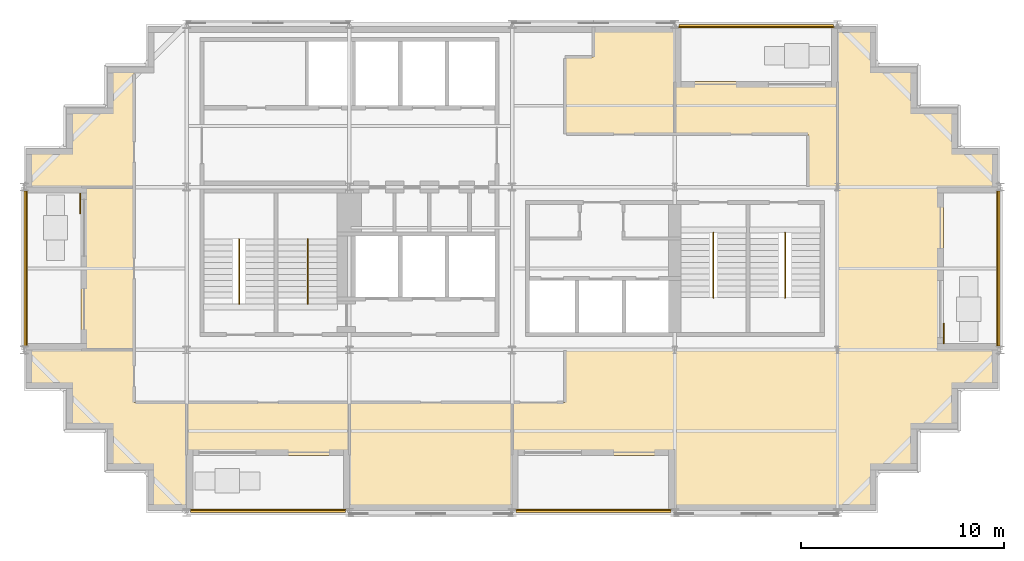
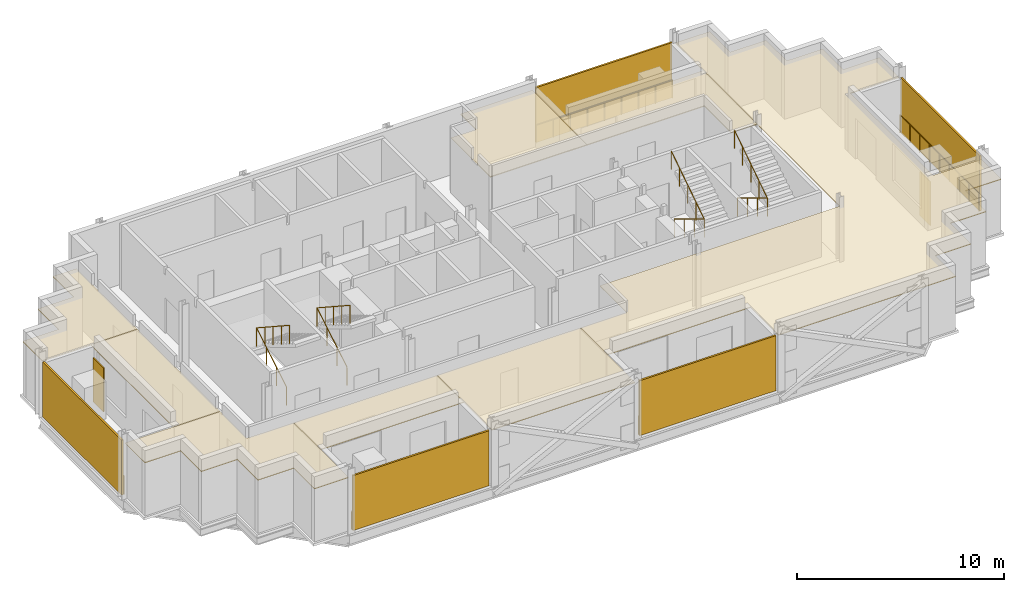
# One storey, part 8 of 9: 9 railings, 8 coverings, 7 shading devices.
"""IFC4 building model written with IfcOpenShell, lengths in metres."""

from ifc_helpers import new_model, si_unit, direction, frame, origin, origin_2d, place, context, subcontext, project, spatial, polyline, rectangle, circle, outline, extrude, material, layer, layer_set, type_object, element, save


model = new_model("IFC4")

# Units and contexts
model_context = context("Model", 3, precision=1e-05, world=origin(), true_north=direction((0.0, 1.0)))
body_context = subcontext(model_context, "Body", "Model", "MODEL_VIEW")
ifc_project = project(units=[si_unit("LENGTHUNIT", "METRE"), si_unit("AREAUNIT", "SQUARE_METRE"), si_unit("VOLUMEUNIT", "CUBIC_METRE"), si_unit("PLANEANGLEUNIT", "RADIAN"), si_unit("MASSUNIT", "GRAM", prefix="KILO")], contexts=[model_context])

# Site, building, storey
site_placement = place(None, origin())
site = spatial("IfcSite", under=ifc_project, at=site_placement, CompositionType="ELEMENT")
building_placement = place(site_placement, origin())
building = spatial("IfcBuilding", under=site, at=building_placement, Name="Immortelle Media Tower", CompositionType="ELEMENT")
storey_placement = place(building_placement, frame((0.0, 0.0, 271.0)))
storey = spatial("IfcBuildingStorey", under=building, at=storey_placement, Name="L59", CompositionType="ELEMENT", Elevation=271.0)

# Railings
ifc_material_1 = material(Name="Powder-coated aluminium fretwork panel, laminated glass backing", Category="aluminium")
railing_type_1 = type_object("IfcRailingType", Name="Fretwork balustrade 1100", PredefinedType="BALUSTRADE", material=ifc_material_1)
railing_1_placement = place(storey_placement, frame((8.197021484375, 0.139892578125, 0.0)))
element("IfcRailing", 1, at=railing_1_placement, inside=storey, type_object=railing_type_1, Name="Fretwork balustrade L59 S0", PredefinedType="BALUSTRADE", context=body_context, shape_type="SweptSolid", body=[
    extrude(circle(Radius=0.02490234375, at=origin_2d()), frame((0.0, 0.0, 1.0751953125), z_axis=(1.0, 0.0, 0.0), x_axis=(0.0, 1.0, 0.0)), (0.0, 0.0, 1.0), 7.6025390625),
    extrude(circle(Radius=0.02001953125, at=origin_2d()), origin(), (0.0, 0.0, 1.0), 1.050048828125),
    extrude(circle(Radius=0.02001953125, at=origin_2d()), frame((0.9501953125, 0.0, 0.0)), (0.0, 0.0, 1.0), 1.050048828125),
    extrude(circle(Radius=0.02001953125, at=origin_2d()), frame((1.900634765625, 0.0, 0.0)), (0.0, 0.0, 1.0), 1.050048828125),
    extrude(circle(Radius=0.02001953125, at=origin_2d()), frame((2.85107421875, 0.0, 0.0)), (0.0, 0.0, 1.0), 1.050048828125),
    extrude(circle(Radius=0.02001953125, at=origin_2d()), frame((3.80126953125, 0.0, 0.0)), (0.0, 0.0, 1.0), 1.050048828125),
    extrude(circle(Radius=0.02001953125, at=origin_2d()), frame((4.75146484375, 0.0, 0.0)), (0.0, 0.0, 1.0), 1.050048828125),
    extrude(circle(Radius=0.02001953125, at=origin_2d()), frame((5.701904296875, 0.0, 0.0)), (0.0, 0.0, 1.0), 1.050048828125),
    extrude(circle(Radius=0.02001953125, at=origin_2d()), frame((6.65234375, 0.0, 0.0)), (0.0, 0.0, 1.0), 1.050048828125),
    extrude(circle(Radius=0.02001953125, at=origin_2d()), frame((7.6025390625, 0.0, 0.0)), (0.0, 0.0, 1.0), 1.050048828125),
])
railing_2_placement = place(storey_placement, frame((24.199462890625, 0.139892578125, 0.0)))
element("IfcRailing", 2, at=railing_2_placement, inside=storey, type_object=railing_type_1, Name="Fretwork balustrade L59 S2", PredefinedType="BALUSTRADE", context=body_context, shape_type="SweptSolid", body=[
    extrude(circle(Radius=0.02490234375, at=origin_2d()), frame((0.0, 0.0, 1.0751953125), z_axis=(1.0, 0.0, 0.0), x_axis=(0.0, 1.0, 0.0)), (0.0, 0.0, 1.0), 7.60107421875),
    extrude(circle(Radius=0.02001953125, at=origin_2d()), origin(), (0.0, 0.0, 1.0), 1.050048828125),
    extrude(circle(Radius=0.02001953125, at=origin_2d()), frame((0.9501953125, 0.0, 0.0)), (0.0, 0.0, 1.0), 1.050048828125),
    extrude(circle(Radius=0.02001953125, at=origin_2d()), frame((1.900390625, 0.0, 0.0)), (0.0, 0.0, 1.0), 1.050048828125),
    extrude(circle(Radius=0.02001953125, at=origin_2d()), frame((2.850341796875, 0.0, 0.0)), (0.0, 0.0, 1.0), 1.050048828125),
    extrude(circle(Radius=0.02001953125, at=origin_2d()), frame((3.800537109375, 0.0, 0.0)), (0.0, 0.0, 1.0), 1.050048828125),
    extrude(circle(Radius=0.02001953125, at=origin_2d()), frame((4.750732421875, 0.0, 0.0)), (0.0, 0.0, 1.0), 1.050048828125),
    extrude(circle(Radius=0.02001953125, at=origin_2d()), frame((5.70068359375, 0.0, 0.0)), (0.0, 0.0, 1.0), 1.050048828125),
    extrude(circle(Radius=0.02001953125, at=origin_2d()), frame((6.65087890625, 0.0, 0.0)), (0.0, 0.0, 1.0), 1.050048828125),
    extrude(circle(Radius=0.02001953125, at=origin_2d()), frame((7.60107421875, 0.0, 0.0)), (0.0, 0.0, 1.0), 1.050048828125),
])
railing_3_placement = place(storey_placement, frame((47.860107421875, 8.18408203125, 0.0)))
element("IfcRailing", 3, at=railing_3_placement, inside=storey, type_object=railing_type_1, Name="Fretwork balustrade L59 E0", PredefinedType="BALUSTRADE", context=body_context, shape_type="SweptSolid", body=[
    extrude(circle(Radius=0.02490234375, at=origin_2d()), frame((0.0, 0.0, 1.0751953125), z_axis=(0.0, 1.0, 0.0), x_axis=(-1.0, 0.0, 0.0)), (0.0, 0.0, 1.0), 7.6318359375),
    extrude(circle(Radius=0.02001953125, at=origin_2d()), origin(), (0.0, 0.0, 1.0), 1.050048828125),
    extrude(circle(Radius=0.02001953125, at=origin_2d()), frame((0.0, 0.9541015625, 0.0)), (0.0, 0.0, 1.0), 1.050048828125),
    extrude(circle(Radius=0.02001953125, at=origin_2d()), frame((0.0, 1.907958984375, 0.0)), (0.0, 0.0, 1.0), 1.050048828125),
    extrude(circle(Radius=0.02001953125, at=origin_2d()), frame((0.0, 2.86181640625, 0.0)), (0.0, 0.0, 1.0), 1.050048828125),
    extrude(circle(Radius=0.02001953125, at=origin_2d()), frame((0.0, 3.81591796875, 0.0)), (0.0, 0.0, 1.0), 1.050048828125),
    extrude(circle(Radius=0.02001953125, at=origin_2d()), frame((0.0, 4.77001953125, 0.0)), (0.0, 0.0, 1.0), 1.050048828125),
    extrude(circle(Radius=0.02001953125, at=origin_2d()), frame((0.0, 5.723876953125, 0.0)), (0.0, 0.0, 1.0), 1.050048828125),
    extrude(circle(Radius=0.02001953125, at=origin_2d()), frame((0.0, 6.677734375, 0.0)), (0.0, 0.0, 1.0), 1.050048828125),
    extrude(circle(Radius=0.02001953125, at=origin_2d()), frame((0.0, 7.6318359375, 0.0)), (0.0, 0.0, 1.0), 1.050048828125),
])
railing_4_placement = place(storey_placement, frame((39.8134765625, 23.860107421875, 0.0)))
element("IfcRailing", 4, at=railing_4_placement, inside=storey, type_object=railing_type_1, Name="Fretwork balustrade L59 N0", PredefinedType="BALUSTRADE", context=body_context, shape_type="SweptSolid", body=[
    extrude(circle(Radius=0.02490234375, at=origin_2d()), frame((0.0, 0.0, 1.0751953125), z_axis=(-1.0, 0.0, 0.0), x_axis=(0.0, -1.0, 0.0)), (0.0, 0.0, 1.0), 7.614013671875),
    extrude(circle(Radius=0.02001953125, at=origin_2d()), origin(), (0.0, 0.0, 1.0), 1.050048828125),
    extrude(circle(Radius=0.02001953125, at=origin_2d()), frame((-0.95166015625, 0.0, 0.0)), (0.0, 0.0, 1.0), 1.050048828125),
    extrude(circle(Radius=0.02001953125, at=origin_2d()), frame((-1.903564453125, 0.0, 0.0)), (0.0, 0.0, 1.0), 1.050048828125),
    extrude(circle(Radius=0.02001953125, at=origin_2d()), frame((-2.855224609375, 0.0, 0.0)), (0.0, 0.0, 1.0), 1.050048828125),
    extrude(circle(Radius=0.02001953125, at=origin_2d()), frame((-3.80712890625, 0.0, 0.0)), (0.0, 0.0, 1.0), 1.050048828125),
    extrude(circle(Radius=0.02001953125, at=origin_2d()), frame((-4.7587890625, 0.0, 0.0)), (0.0, 0.0, 1.0), 1.050048828125),
    extrude(circle(Radius=0.02001953125, at=origin_2d()), frame((-5.71044921875, 0.0, 0.0)), (0.0, 0.0, 1.0), 1.050048828125),
    extrude(circle(Radius=0.02001953125, at=origin_2d()), frame((-6.662353515625, 0.0, 0.0)), (0.0, 0.0, 1.0), 1.050048828125),
    extrude(circle(Radius=0.02001953125, at=origin_2d()), frame((-7.614013671875, 0.0, 0.0)), (0.0, 0.0, 1.0), 1.050048828125),
])
railing_5_placement = place(storey_placement, frame((0.139892578125, 15.81201171875, 0.0)))
element("IfcRailing", 5, at=railing_5_placement, inside=storey, type_object=railing_type_1, Name="Fretwork balustrade L59 W0", PredefinedType="BALUSTRADE", context=body_context, shape_type="SweptSolid", body=[
    extrude(circle(Radius=0.02490234375, at=origin_2d()), frame((0.0, 0.0, 1.0751953125), z_axis=(0.0, -1.0, 0.0), x_axis=(1.0, 0.0, 0.0)), (0.0, 0.0, 1.0), 7.6240234375),
    extrude(circle(Radius=0.02001953125, at=origin_2d()), origin(), (0.0, 0.0, 1.0), 1.050048828125),
    extrude(circle(Radius=0.02001953125, at=origin_2d()), frame((0.0, -0.953125, 0.0)), (0.0, 0.0, 1.0), 1.050048828125),
    extrude(circle(Radius=0.02001953125, at=origin_2d()), frame((0.0, -1.906005859375, 0.0)), (0.0, 0.0, 1.0), 1.050048828125),
    extrude(circle(Radius=0.02001953125, at=origin_2d()), frame((0.0, -2.85888671875, 0.0)), (0.0, 0.0, 1.0), 1.050048828125),
    extrude(circle(Radius=0.02001953125, at=origin_2d()), frame((0.0, -3.81201171875, 0.0)), (0.0, 0.0, 1.0), 1.050048828125),
    extrude(circle(Radius=0.02001953125, at=origin_2d()), frame((0.0, -4.76513671875, 0.0)), (0.0, 0.0, 1.0), 1.050048828125),
    extrude(circle(Radius=0.02001953125, at=origin_2d()), frame((0.0, -5.718017578125, 0.0)), (0.0, 0.0, 1.0), 1.050048828125),
    extrude(circle(Radius=0.02001953125, at=origin_2d()), frame((0.0, -6.6708984375, 0.0)), (0.0, 0.0, 1.0), 1.050048828125),
    extrude(circle(Radius=0.02001953125, at=origin_2d()), frame((0.0, -7.6240234375, 0.0)), (0.0, 0.0, 1.0), 1.050048828125),
])

# Shading devices
ifc_material_2 = material(Name="Pale aluminium louvre blades", Category="aluminium")
ifc_layer_1 = layer(ifc_material_2, 0.10009765625)
ifc_layer_set_1 = layer_set([ifc_layer_1], Name="Pale aluminium louvre blades")
shading_device_type_1 = type_object("IfcShadingDeviceType", Name="Jalousie screen 100", PredefinedType="JALOUSIE", material=ifc_layer_set_1)
shading_device_1_placement = place(storey_placement, frame((11.998291015625, 0.050048828125, 0.0), z_axis=(0.0, 0.0, 1.0), x_axis=(1.0, 0.0, 0.0)))
element("IfcShadingDevice", 6, at=shading_device_1_placement, inside=storey, type_object=shading_device_type_1, Name="Jalousie screen L59 S0", PredefinedType="JALOUSIE", context=body_context, shape_type="SweptSolid", body=[
    extrude(rectangle(XDim=7.6025390625, YDim=0.10009765625, at=origin_2d()), origin(), (0.0, 0.0, 1.0), 3.248046875),
])
shading_device_2_placement = place(storey_placement, frame((28.0, 0.050048828125, 0.0), z_axis=(0.0, 0.0, 1.0), x_axis=(1.0, 0.0, 0.0)))
element("IfcShadingDevice", 7, at=shading_device_2_placement, inside=storey, type_object=shading_device_type_1, Name="Jalousie screen L59 S2", PredefinedType="JALOUSIE", context=body_context, shape_type="SweptSolid", body=[
    extrude(rectangle(XDim=7.60107421875, YDim=0.10009765625, at=origin_2d()), origin(), (0.0, 0.0, 1.0), 3.248046875),
])
shading_device_3_placement = place(storey_placement, frame((47.949951171875, 12.0, 0.0), z_axis=(0.0, 0.0, 1.0), x_axis=(0.0, 1.0, 0.0)))
element("IfcShadingDevice", 8, at=shading_device_3_placement, inside=storey, type_object=shading_device_type_1, Name="Jalousie screen L59 E0", PredefinedType="JALOUSIE", context=body_context, shape_type="SweptSolid", body=[
    extrude(rectangle(XDim=7.632080078125, YDim=0.10009765625, at=origin_2d()), origin(), (0.0, 0.0, 1.0), 3.248046875),
])
shading_device_4_placement = place(storey_placement, frame((36.006591796875, 23.949951171875, 0.0), z_axis=(0.0, 0.0, 1.0), x_axis=(-1.0, 0.0, 0.0)))
element("IfcShadingDevice", 9, at=shading_device_4_placement, inside=storey, type_object=shading_device_type_1, Name="Jalousie screen L59 N0", PredefinedType="JALOUSIE", context=body_context, shape_type="SweptSolid", body=[
    extrude(rectangle(XDim=7.614013671875, YDim=0.10009765625, at=origin_2d()), origin(), (0.0, 0.0, 1.0), 3.248046875),
])
shading_device_5_placement = place(storey_placement, frame((0.050048828125, 12.0, 0.0), z_axis=(0.0, 0.0, 1.0), x_axis=(0.0, -1.0, 0.0)))
element("IfcShadingDevice", 10, at=shading_device_5_placement, inside=storey, type_object=shading_device_type_1, Name="Jalousie screen L59 W0", PredefinedType="JALOUSIE", context=body_context, shape_type="SweptSolid", body=[
    extrude(rectangle(XDim=7.6240234375, YDim=0.10009765625, at=origin_2d()), origin(), (0.0, 0.0, 1.0), 3.248046875),
])
ifc_material_3 = material(Name="Pale aluminium louvre blades in a folding frame", Category="aluminium")
ifc_layer_2 = layer(ifc_material_3, 0.050048828125)
ifc_layer_set_2 = layer_set([ifc_layer_2], Name="Pale aluminium louvre blades in a folding frame")
shading_device_type_2 = type_object("IfcShadingDeviceType", Name="Louvred loggia shutter", PredefinedType="SHUTTER", material=ifc_layer_set_2)
for number, where, z_axis, x_axis, name in (
    (11, (45.22509765625, 8.800048828125, 0.0), (0.0, 0.0, 1.0), (0.0, 1.0, 0.0), "Loggia shutter L59 E0"),
    (12, (2.77490234375, 15.199951171875, 0.0), (0.0, 0.0, 1.0), (0.0, -1.0, 0.0), "Loggia shutter L59 W0"),
):
    element("IfcShadingDevice", number, at=place(storey_placement, frame(where, z_axis=z_axis, x_axis=x_axis)), inside=storey, type_object=shading_device_type_2, Name=name, PredefinedType="SHUTTER", context=body_context, shape_type="SweptSolid", body=[
        extrude(rectangle(XDim=1.0, YDim=0.050048828125, at=origin_2d()), origin(), (0.0, 0.0, 1.0), 2.60009765625),
    ])

# Railings
ifc_material_4 = material(Name="Stainless steel AISI 316", Category="steel")
railing_type_2 = type_object("IfcRailingType", Name="Stair guard 1100", PredefinedType="GUARDRAIL", material=ifc_material_4)
for number, where, name in (
    (13, (10.574951171875, 10.5400390625, 0.173828125), "Stair guard SW1"),
    (14, (13.949951171875, 10.5400390625, 0.173828125), "Stair guard SW2"),
):
    element("IfcRailing", number, at=place(storey_placement, frame(where)), inside=storey, type_object=railing_type_2, Name=name, PredefinedType="GUARDRAIL", context=body_context, shape_type="SweptSolid", body=[
        extrude(circle(Radius=0.02392578125, at=origin_2d()), frame((0.0, 0.0, 1.076171875), z_axis=(0.0, 0.857582100076, 0.514347102285), x_axis=(-1.0, 0.0, 0.0)), (0.0, 0.0, 1.0), 3.381591796875),
        extrude(circle(Radius=0.02392578125, at=origin_2d()), frame((0.0, 2.89990234375, 2.8154296875), z_axis=(0.0, -0.836827423118, 0.547466769693), x_axis=(1.0, 0.0, 0.0)), (0.0, 0.0, 1.0), 3.81201171875),
        extrude(circle(Radius=0.02099609375, at=origin_2d()), origin(), (0.0, 0.0, 1.0), 1.052001953125),
        extrude(circle(Radius=0.02099609375, at=origin_2d()), frame((0.0, 0.966552734375, 0.579833984375)), (0.0, 0.0, 1.0), 1.052001953125),
        extrude(circle(Radius=0.02099609375, at=origin_2d()), frame((0.0, 1.933349609375, 1.159423828125)), (0.0, 0.0, 1.0), 1.052001953125),
        extrude(circle(Radius=0.02099609375, at=origin_2d()), frame((0.0, 2.89990234375, 1.7392578125)), (0.0, 0.0, 1.0), 1.052001953125),
        extrude(circle(Radius=0.02099609375, at=origin_2d()), frame((0.0, 2.1025390625, 2.260986328125)), (0.0, 0.0, 1.0), 1.052001953125),
        extrude(circle(Radius=0.02099609375, at=origin_2d()), frame((0.0, 1.304931640625, 2.78271484375)), (0.0, 0.0, 1.0), 1.052001953125),
        extrude(circle(Radius=0.02099609375, at=origin_2d()), frame((0.0, 0.50732421875, 3.304443359375)), (0.0, 0.0, 1.0), 1.052001953125),
        extrude(circle(Radius=0.02099609375, at=origin_2d()), frame((0.0, -0.2900390625, 3.826171875)), (0.0, 0.0, 1.0), 1.052001953125),
    ])
for number, where, name in (
    (15, (33.89990234375, 13.4599609375, 0.173828125), "Stair guard SE1"),
    (16, (37.425048828125, 13.4599609375, 0.173828125), "Stair guard SE2"),
):
    element("IfcRailing", number, at=place(storey_placement, frame(where)), inside=storey, type_object=railing_type_2, Name=name, PredefinedType="GUARDRAIL", context=body_context, shape_type="SweptSolid", body=[
        extrude(circle(Radius=0.02392578125, at=origin_2d()), frame((0.0, 0.0, 1.076171875), z_axis=(0.0, -0.857582100076, 0.514347102285), x_axis=(1.0, 0.0, 0.0)), (0.0, 0.0, 1.0), 3.381591796875),
        extrude(circle(Radius=0.02392578125, at=origin_2d()), frame((0.0, -2.89990234375, 2.8154296875), z_axis=(0.0, 0.836827423118, 0.547466769693), x_axis=(-1.0, 0.0, 0.0)), (0.0, 0.0, 1.0), 3.81201171875),
        extrude(circle(Radius=0.02099609375, at=origin_2d()), origin(), (0.0, 0.0, 1.0), 1.052001953125),
        extrude(circle(Radius=0.02099609375, at=origin_2d()), frame((0.0, -0.966552734375, 0.579833984375)), (0.0, 0.0, 1.0), 1.052001953125),
        extrude(circle(Radius=0.02099609375, at=origin_2d()), frame((0.0, -1.933349609375, 1.159423828125)), (0.0, 0.0, 1.0), 1.052001953125),
        extrude(circle(Radius=0.02099609375, at=origin_2d()), frame((0.0, -2.89990234375, 1.7392578125)), (0.0, 0.0, 1.0), 1.052001953125),
        extrude(circle(Radius=0.02099609375, at=origin_2d()), frame((0.0, -2.1025390625, 2.260986328125)), (0.0, 0.0, 1.0), 1.052001953125),
        extrude(circle(Radius=0.02099609375, at=origin_2d()), frame((0.0, -1.304931640625, 2.78271484375)), (0.0, 0.0, 1.0), 1.052001953125),
        extrude(circle(Radius=0.02099609375, at=origin_2d()), frame((0.0, -0.50732421875, 3.304443359375)), (0.0, 0.0, 1.0), 1.052001953125),
        extrude(circle(Radius=0.02099609375, at=origin_2d()), frame((0.0, 0.2900390625, 3.826171875)), (0.0, 0.0, 1.0), 1.052001953125),
    ])

# Coverings
ifc_material_5 = material(Name="Mineral fibre tile ceiling")
ifc_layer_3 = layer(ifc_material_5, 0.050048828125)
ifc_layer_set_3 = layer_set([ifc_layer_3], Name="Mineral fibre tile ceiling")
covering_type = type_object("IfcCoveringType", Name="Suspended ceiling 50", PredefinedType="CEILING", material=ifc_layer_set_3)
covering_1_placement = place(storey_placement, frame((0.0, 0.0, 3.1220703125)))
element("IfcCovering", 17, at=covering_1_placement, inside=storey, type_object=covering_type, Name="Ceiling L59-001", PredefinedType="CEILING", context=body_context, shape_type="SweptSolid", body=[
    extrude(outline(polyline([(16.0, 0.10009765625), (16.0, 2.800048828125), (16.0, 5.39990234375), (24.0, 5.39990234375), (24.0, 2.800048828125), (24.0, 0.10009765625), (16.0, 0.10009765625)])), origin(), (0.0, 0.0, 1.0), 0.050048828125),
])
covering_2_placement = place(storey_placement, frame((0.0, 0.0, 3.1220703125)))
element("IfcCovering", 18, at=covering_2_placement, inside=storey, type_object=covering_type, Name="Ceiling L59-002", PredefinedType="CEILING", context=body_context, shape_type="SweptSolid", body=[
    extrude(outline(polyline([(8.0, 2.800048828125), (8.0, 5.39990234375), (16.0, 5.39990234375), (16.0, 2.800048828125), (8.0, 2.800048828125)])), origin(), (0.0, 0.0, 1.0), 0.050048828125),
])
covering_3_placement = place(storey_placement, frame((0.0, 0.0, 3.1220703125)))
element("IfcCovering", 19, at=covering_3_placement, inside=storey, type_object=covering_type, Name="Ceiling L59-003", PredefinedType="CEILING", context=body_context, shape_type="SweptSolid", body=[
    extrude(outline(polyline([(4.10009765625, 2.10009765625), (4.10009765625, 4.10009765625), (4.0, 4.10009765625), (2.10009765625, 4.10009765625), (2.10009765625, 6.10009765625), (0.10009765625, 6.10009765625), (0.10009765625, 8.0), (2.800048828125, 8.0), (4.0, 8.0), (5.39990234375, 8.0), (5.39990234375, 5.39990234375), (8.0, 5.39990234375), (8.0, 2.800048828125), (8.0, 0.10009765625), (6.10009765625, 0.10009765625), (6.10009765625, 2.10009765625), (4.10009765625, 2.10009765625)])), origin(), (0.0, 0.0, 1.0), 0.050048828125),
])
covering_4_placement = place(storey_placement, frame((0.0, 0.0, 3.1220703125)))
element("IfcCovering", 20, at=covering_4_placement, inside=storey, type_object=covering_type, Name="Ceiling L59-004", PredefinedType="CEILING", context=body_context, shape_type="SweptSolid", body=[
    extrude(outline(polyline([(26.60009765625, 5.39990234375), (26.60009765625, 8.0), (32.0, 8.0), (40.0, 8.0), (40.0, 16.0), (40.0, 21.199951171875), (40.0, 23.89990234375), (41.89990234375, 23.89990234375), (41.89990234375, 21.89990234375), (43.89990234375, 21.89990234375), (43.89990234375, 19.89990234375), (45.89990234375, 19.89990234375), (45.89990234375, 17.89990234375), (47.89990234375, 17.89990234375), (47.89990234375, 16.0), (45.199951171875, 16.0), (45.199951171875, 8.0), (47.89990234375, 8.0), (47.89990234375, 6.10009765625), (45.89990234375, 6.10009765625), (45.89990234375, 4.10009765625), (43.89990234375, 4.10009765625), (43.89990234375, 2.10009765625), (41.89990234375, 2.10009765625), (41.89990234375, 0.10009765625), (40.0, 0.10009765625), (32.0, 0.10009765625), (32.0, 2.800048828125), (24.0, 2.800048828125), (24.0, 5.39990234375), (26.60009765625, 5.39990234375)])), origin(), (0.0, 0.0, 1.0), 0.050048828125),
])
covering_5_placement = place(storey_placement, frame((0.0, 0.0, 3.1220703125)))
element("IfcCovering", 21, at=covering_5_placement, inside=storey, type_object=covering_type, Name="Ceiling L59-005", PredefinedType="CEILING", context=body_context, shape_type="SweptSolid", body=[
    extrude(outline(polyline([(5.39990234375, 8.0), (2.800048828125, 8.0), (2.800048828125, 16.0), (5.39990234375, 16.0), (5.39990234375, 8.0)])), origin(), (0.0, 0.0, 1.0), 0.050048828125),
])
covering_6_placement = place(storey_placement, frame((0.0, 0.0, 3.1220703125)))
element("IfcCovering", 22, at=covering_6_placement, inside=storey, type_object=covering_type, Name="Ceiling L59-006", PredefinedType="CEILING", context=body_context, shape_type="SweptSolid", body=[
    extrude(outline(polyline([(2.10009765625, 17.89990234375), (2.10009765625, 19.89990234375), (4.10009765625, 19.89990234375), (4.10009765625, 21.89990234375), (5.39990234375, 21.89990234375), (5.39990234375, 19.449951171875), (5.39990234375, 16.0), (2.800048828125, 16.0), (0.10009765625, 16.0), (0.10009765625, 17.89990234375), (2.10009765625, 17.89990234375)])), origin(), (0.0, 0.0, 1.0), 0.050048828125),
])
covering_7_placement = place(storey_placement, frame((0.0, 0.0, 3.1220703125)))
element("IfcCovering", 23, at=covering_7_placement, inside=storey, type_object=covering_type, Name="Ceiling L59-007", PredefinedType="CEILING", context=body_context, shape_type="SweptSolid", body=[
    extrude(outline(polyline([(38.550048828125, 16.0), (38.550048828125, 18.60009765625), (32.0, 18.60009765625), (32.0, 21.199951171875), (40.0, 21.199951171875), (40.0, 16.0), (38.550048828125, 16.0)])), origin(), (0.0, 0.0, 1.0), 0.050048828125),
])
covering_8_placement = place(storey_placement, frame((0.0, 0.0, 3.1220703125)))
element("IfcCovering", 24, at=covering_8_placement, inside=storey, type_object=covering_type, Name="Ceiling L59-008", PredefinedType="CEILING", context=body_context, shape_type="SweptSolid", body=[
    extrude(outline(polyline([(27.0, 18.60009765625), (26.60009765625, 18.60009765625), (26.60009765625, 20.0), (26.60009765625, 22.39990234375), (28.0, 22.39990234375), (28.0, 23.89990234375), (32.0, 23.89990234375), (32.0, 21.199951171875), (32.0, 18.60009765625), (27.0, 18.60009765625)])), origin(), (0.0, 0.0, 1.0), 0.050048828125),
])

save(model, "model.ifc")
